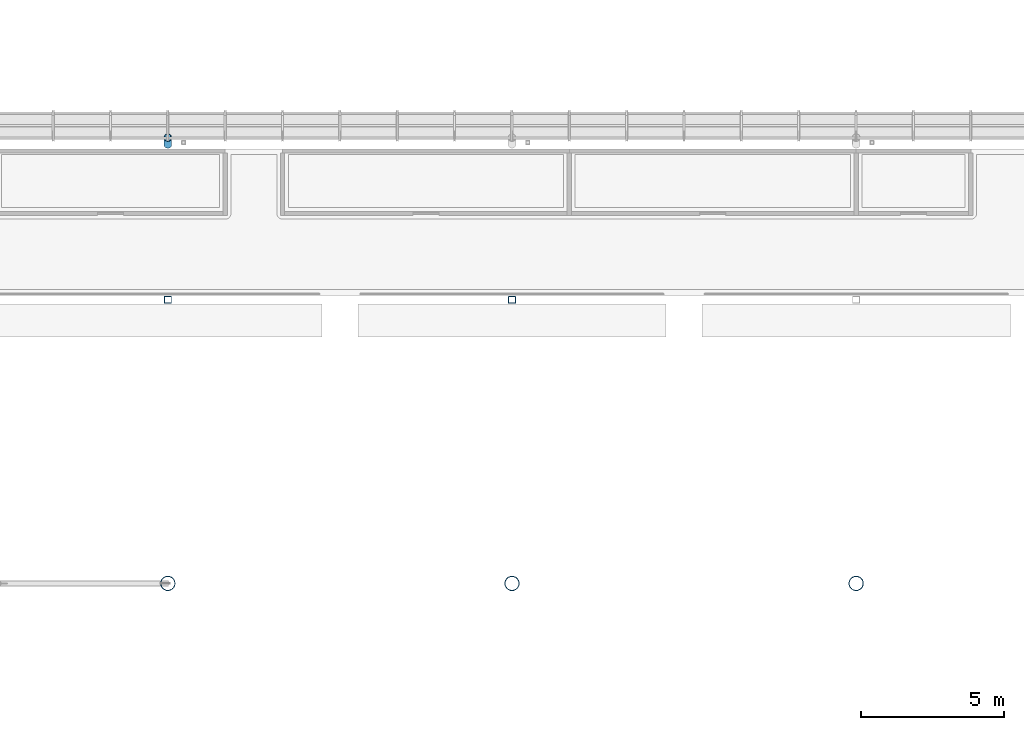
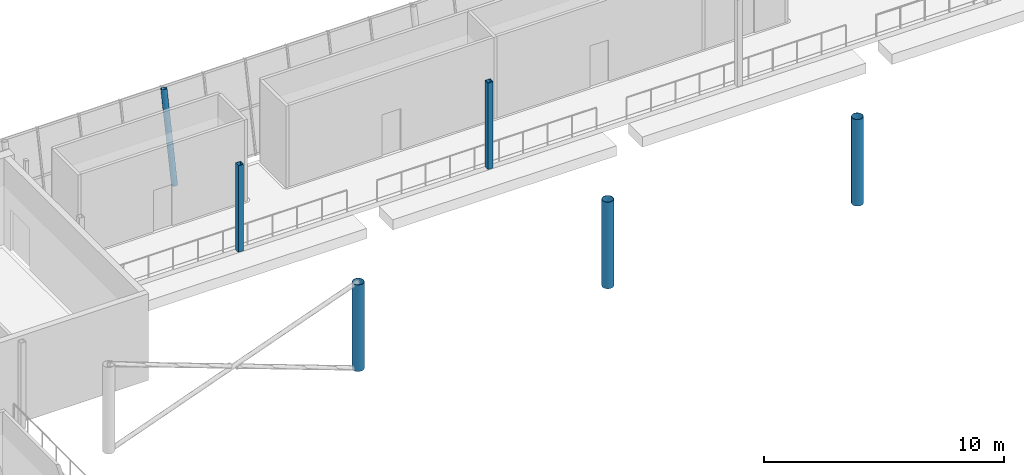
# One storey, part 14 of 115: 6 columns.
"""IFC4 building model written with IfcOpenShell, lengths in metres."""

from ifc_helpers import new_model, si_unit, direction, frame, origin, origin_2d, place, context, subcontext, project, spatial, hollow_rectangle, hollow_circle, extrude, material, material_profile, profile_set, type_object, element, save


model = new_model("IFC4")

# Units and contexts
model_context = context("Model", 3, precision=1e-05, world=origin(), true_north=direction((0.0, 1.0)))
body_context = subcontext(model_context, "Body", "Model", "MODEL_VIEW")
ifc_project = project(units=[si_unit("LENGTHUNIT", "METRE"), si_unit("AREAUNIT", "SQUARE_METRE"), si_unit("VOLUMEUNIT", "CUBIC_METRE"), si_unit("PLANEANGLEUNIT", "RADIAN"), si_unit("MASSUNIT", "GRAM", prefix="KILO")], contexts=[model_context])

# Site, building, storey
site_placement = place(None, origin())
site = spatial("IfcSite", under=ifc_project, at=site_placement, CompositionType="ELEMENT")
building_placement = place(site_placement, origin())
building = spatial("IfcBuilding", under=site, at=building_placement, Name="Windward Yard Aquatics Centre", CompositionType="ELEMENT")
storey_placement = place(building_placement, frame((0.0, 0.0, 5.0)))
storey = spatial("IfcBuildingStorey", under=building, at=storey_placement, Name="L01", CompositionType="ELEMENT", Elevation=5.0)

# Columns
ifc_material = material(Name="Steel ASTM A500 Gr C", Category="steel")
ifc_material_profile_1 = material_profile(ifc_material, hollow_circle(Radius=0.25390625, WallThickness=0.015869140625, at=origin_2d()), Name="HSS508X15.9")
ifc_profile_set_1 = profile_set([ifc_material_profile_1], Name="Steel ASTM A500 Gr C")
column_type_1 = type_object("IfcColumnType", Name="H arch column HSS508X15.9", PredefinedType="COLUMN", material=ifc_profile_set_1)
for number, where, z_axis, x_axis, name in (
    (1, (72.0, 80.39990234375, 0.0), (0.0, 0.0, 1.0), (1.0, 0.0, 0.0), "H.AC.N2.L01"),
    (2, (84.0, 80.39990234375, 0.0), (0.0, 0.0, 1.0), (1.0, 0.0, 0.0), "H.AC.N3.L01"),
    (3, (96.0, 80.39990234375, 0.0), (0.0, 0.0, 1.0), (1.0, 0.0, 0.0), "H.AC.N4.L01"),
):
    element("IfcColumn", number, at=place(storey_placement, frame(where, z_axis=z_axis, x_axis=x_axis)), inside=storey, type_object=column_type_1, Name=name, PredefinedType="COLUMN", context=body_context, shape_type="SweptSolid", body=[
        extrude(hollow_circle(Radius=0.25390625, WallThickness=0.015869140625, at=origin_2d()), origin(), (0.0, 0.0, 1.0), 4.39990234375),
    ])
ifc_material_profile_2 = material_profile(ifc_material, hollow_rectangle(XDim=0.25390625, YDim=0.25390625, WallThickness=0.015869140625, InnerFilletRadius=0.008056640625, OuterFilletRadius=0.02392578125, at=origin_2d()), Name="HSS254X254X15.9")
ifc_profile_set_2 = profile_set([ifc_material_profile_2], Name="Steel ASTM A500 Gr C")
column_type_2 = type_object("IfcColumnType", Name="H inner column HSS254X254X15.9", PredefinedType="COLUMN", material=ifc_profile_set_2)
for number, where, z_axis, x_axis, name in (
    (4, (72.0, 90.290283203125, 0.0), (0.0, 0.0, 1.0), (1.0, 0.0, 0.0), "H.IC.N2.L01"),
    (5, (84.0, 90.290283203125, 0.0), (0.0, 0.0, 1.0), (1.0, 0.0, 0.0), "H.IC.N3.L01"),
):
    element("IfcColumn", number, at=place(storey_placement, frame(where, z_axis=z_axis, x_axis=x_axis)), inside=storey, type_object=column_type_2, Name=name, PredefinedType="COLUMN", context=body_context, shape_type="SweptSolid", body=[
        extrude(hollow_rectangle(XDim=0.25390625, YDim=0.25390625, WallThickness=0.015869140625, InnerFilletRadius=0.008056640625, OuterFilletRadius=0.02392578125, at=origin_2d()), origin(), (0.0, 0.0, 1.0), 4.39990234375),
    ])
ifc_material_profile_3 = material_profile(ifc_material, hollow_circle(Radius=0.136474609375, WallThickness=0.0126953125, at=origin_2d()), Name="HSS273.1X12.7")
ifc_profile_set_3 = profile_set([ifc_material_profile_3], Name="Steel ASTM A500 Gr C")
column_type_3 = type_object("IfcColumnType", Name="H tier 1 leg HSS273.1X12.7", PredefinedType="COLUMN", material=ifc_profile_set_3)
column_placement = place(storey_placement, frame((72.0, 95.70556640625, 0.02734375), z_axis=(0.0, 0.19937683017, 0.979922894717), x_axis=(-1.0, 0.0, 0.0)))
element("IfcColumn", 6, at=column_placement, inside=storey, type_object=column_type_3, Name="H.TL.N2.T1A.L01", PredefinedType="COLUMN", context=body_context, shape_type="SweptSolid", body=[
    extrude(hollow_circle(Radius=0.136474609375, WallThickness=0.0126953125, at=origin_2d()), origin(), (0.0, 0.0, 1.0), 4.462158203125),
])

save(model, "model.ifc")
